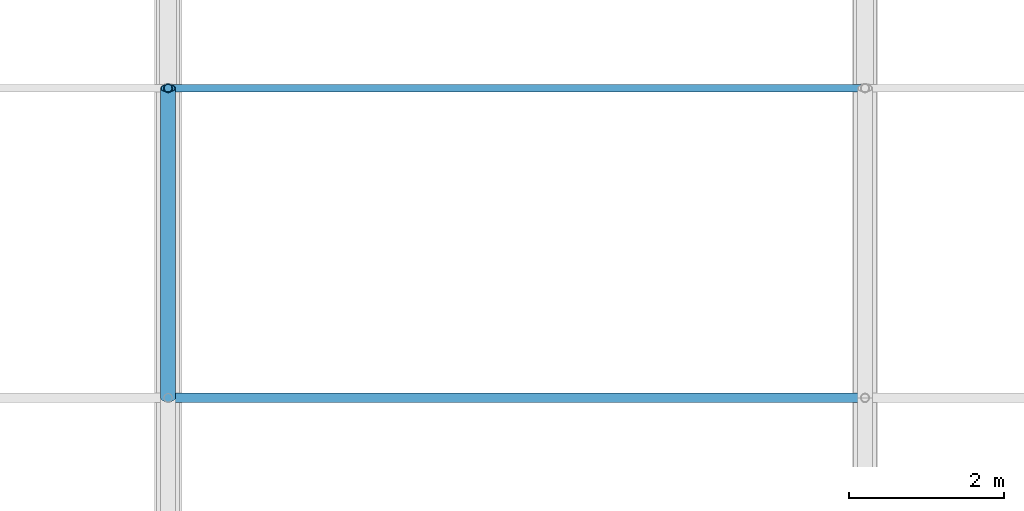
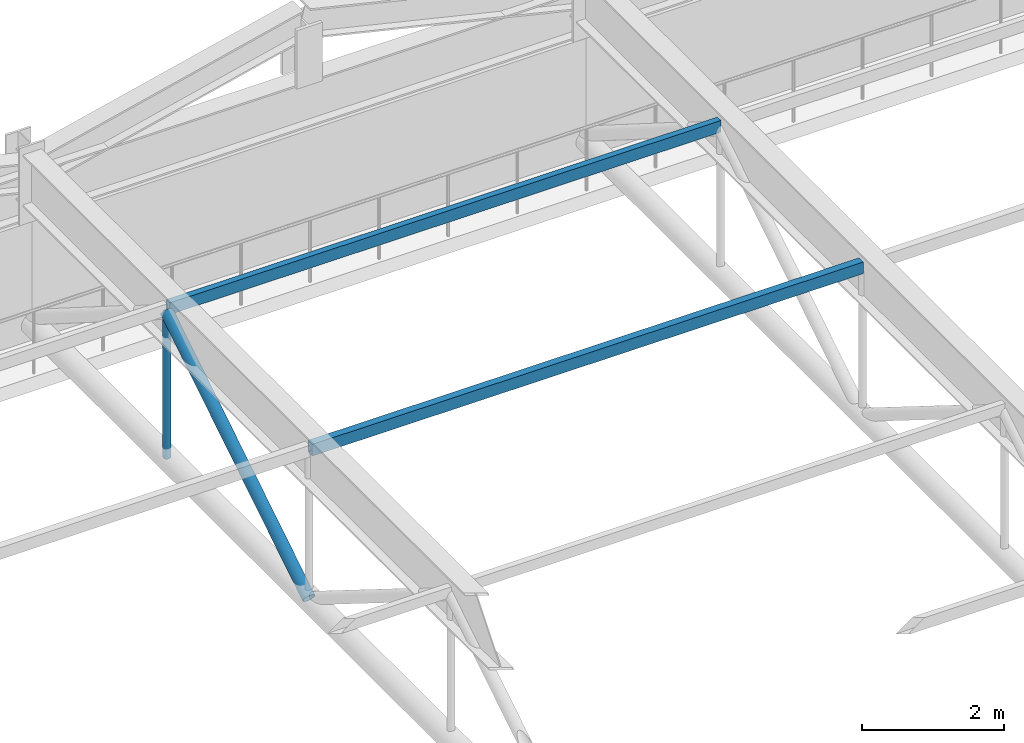
# One storey, part 36 of 91: 4 members.
"""IFC4 building model written with IfcOpenShell, lengths in metres."""

from ifc_helpers import new_model, si_unit, direction, frame, origin, origin_2d, place, context, subcontext, project, spatial, hollow_rectangle, hollow_circle, extrude, material, material_profile, profile_set, type_object, element, save


model = new_model("IFC4")

# Units and contexts
model_context = context("Model", 3, precision=1e-05, world=origin(), true_north=direction((0.0, 1.0)))
body_context = subcontext(model_context, "Body", "Model", "MODEL_VIEW")
ifc_project = project(units=[si_unit("LENGTHUNIT", "METRE"), si_unit("AREAUNIT", "SQUARE_METRE"), si_unit("VOLUMEUNIT", "CUBIC_METRE"), si_unit("PLANEANGLEUNIT", "RADIAN"), si_unit("MASSUNIT", "GRAM", prefix="KILO")], contexts=[model_context])

# Site, building, storey
site_placement = place(None, origin())
site = spatial("IfcSite", under=ifc_project, at=site_placement, CompositionType="ELEMENT")
building_placement = place(site_placement, origin())
building = spatial("IfcBuilding", under=site, at=building_placement, Name="Palais des Congres Ocreval", CompositionType="ELEMENT")
storey_placement = place(building_placement, frame((0.0, 0.0, 8.159912109375)))
storey = spatial("IfcBuildingStorey", under=building, at=storey_placement, Name="L02", CompositionType="ELEMENT", Elevation=8.159912109375)

# Members
ifc_material = material(Name="Steel S355", Category="steel")
ifc_material_profile_1 = material_profile(ifc_material, hollow_circle(Radius=0.096923828125, WallThickness=0.010009765625, at=origin_2d()), Name="CHS 193.7x10")
ifc_profile_set_1 = profile_set([ifc_material_profile_1], Name="Steel S355")
member_type_1 = type_object("IfcMemberType", Name="Diagonal Brace CHS 193.7x10 Steel S355", PredefinedType="BRACE", material=ifc_profile_set_1)
member_1_placement = place(storey_placement, frame((27.0, 106.0, 0.2900390625), z_axis=(0.0, 0.847998304005, 0.529998940003), x_axis=(-1.0, 0.0, 0.0)))
element("IfcMember", 1, at=member_1_placement, inside=storey, type_object=member_type_1, Name="ROOF TRUSS Diagonal V1-27-5", PredefinedType="BRACE", context=body_context, shape_type="SweptSolid", body=[
    extrude(hollow_circle(Radius=0.096923828125, WallThickness=0.010009765625, at=origin_2d()), origin(), (0.0, 0.0, 1.0), 4.717041015625),
])
ifc_material_profile_2 = material_profile(ifc_material, hollow_rectangle(XDim=0.10009765625, YDim=0.199951171875, WallThickness=0.010009765625, at=origin_2d()), Name="RHS 200x100x10")
ifc_profile_set_2 = profile_set([ifc_material_profile_2], Name="Steel S355")
member_type_2 = type_object("IfcMemberType", Name="Roof Purlin RHS 200x100x10 Steel S355", PredefinedType="PURLIN", material=ifc_profile_set_2)
member_2_placement = place(storey_placement, frame((27.02001953125, 110.0, 2.860107421875), z_axis=(1.0, 0.0, 0.0), x_axis=(0.0, 1.0, 0.0)))
element("IfcMember", 2, at=member_2_placement, inside=storey, type_object=member_type_2, Name="Roof Purlin PU02 V1", PredefinedType="PURLIN", context=body_context, shape_type="SweptSolid", body=[
    extrude(hollow_rectangle(XDim=0.10009765625, YDim=0.199951171875, WallThickness=0.010009765625, at=origin_2d()), origin(), (0.0, 0.0, 1.0), 8.9599609375),
])
ifc_material_profile_3 = material_profile(ifc_material, hollow_rectangle(XDim=0.1201171875, YDim=0.199951171875, WallThickness=0.010009765625, at=origin_2d()), Name="RHS 200x120x10")
ifc_profile_set_3 = profile_set([ifc_material_profile_3], Name="Steel S355")
member_type_3 = type_object("IfcMemberType", Name="Roof Purlin RHS 200x120x10 Steel S355", PredefinedType="PURLIN", material=ifc_profile_set_3)
member_3_placement = place(storey_placement, frame((27.02001953125, 106.0, 2.860107421875), z_axis=(1.0, 0.0, 0.0), x_axis=(0.0, 1.0, 0.0)))
element("IfcMember", 3, at=member_3_placement, inside=storey, type_object=member_type_3, Name="Roof Purlin PU01 V1", PredefinedType="PURLIN", context=body_context, shape_type="SweptSolid", body=[
    extrude(hollow_rectangle(XDim=0.1201171875, YDim=0.199951171875, WallThickness=0.010009765625, at=origin_2d()), origin(), (0.0, 0.0, 1.0), 8.9599609375),
])
ifc_material_profile_4 = material_profile(ifc_material, hollow_circle(Radius=0.05712890625, WallThickness=0.00634765625, at=origin_2d()), Name="CHS 114.3x6.3")
ifc_profile_set_4 = profile_set([ifc_material_profile_4], Name="Steel S355")
member_type_4 = type_object("IfcMemberType", Name="Truss Strut CHS 114.3x6.3 Steel S355", PredefinedType="STRUT", material=ifc_profile_set_4)
member_4_placement = place(storey_placement, frame((27.0, 110.0, 0.2900390625), z_axis=(0.0, 0.0, 1.0), x_axis=(1.0, 0.0, 0.0)))
element("IfcMember", 4, at=member_4_placement, inside=storey, type_object=member_type_4, Name="ROOF TRUSS Vertical Strut V1-27-5", PredefinedType="STRUT", context=body_context, shape_type="SweptSolid", body=[
    extrude(hollow_circle(Radius=0.05712890625, WallThickness=0.00634765625, at=origin_2d()), origin(), (0.0, 0.0, 1.0), 2.5),
])

save(model, "model.ifc")
